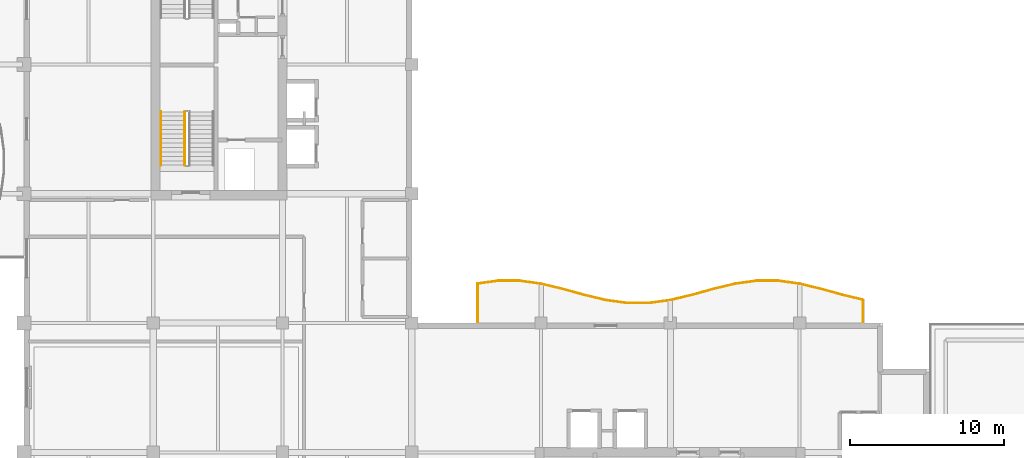
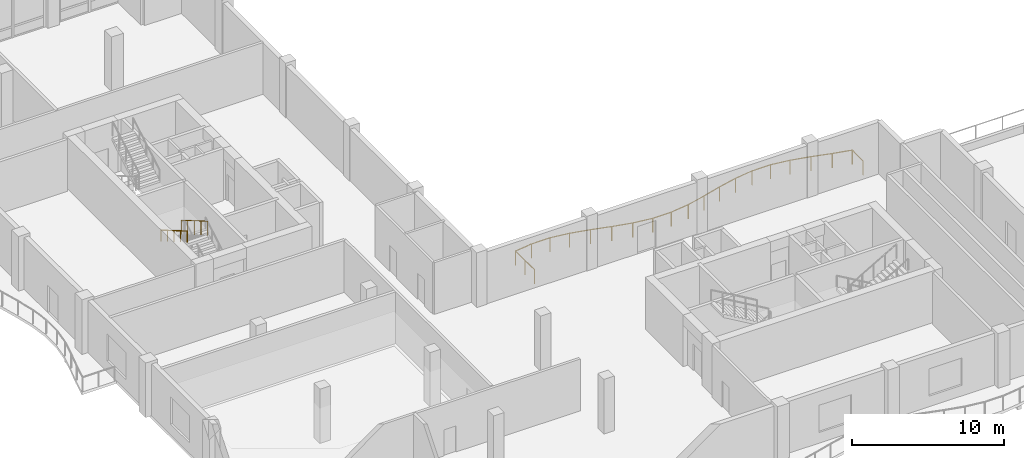
# One storey, part 14 of 16: 3 railings.
"""IFC4 building model written with IfcOpenShell, lengths in metres."""

from ifc_helpers import new_model, si_unit, direction, frame, origin, origin_2d, place, context, subcontext, project, spatial, circle, extrude, material, type_object, element, save


model = new_model("IFC4")

# Units and contexts
model_context = context("Model", 3, precision=1e-05, world=origin(), true_north=direction((0.0, 1.0)))
body_context = subcontext(model_context, "Body", "Model", "MODEL_VIEW")
ifc_project = project(units=[si_unit("LENGTHUNIT", "METRE"), si_unit("AREAUNIT", "SQUARE_METRE"), si_unit("VOLUMEUNIT", "CUBIC_METRE"), si_unit("PLANEANGLEUNIT", "RADIAN"), si_unit("MASSUNIT", "GRAM", prefix="KILO")], contexts=[model_context])

# Site, building, storey
site_placement = place(None, origin())
site = spatial("IfcSite", under=ifc_project, at=site_placement, CompositionType="ELEMENT")
building_placement = place(site_placement, origin())
building = spatial("IfcBuilding", under=site, at=building_placement, Name="Koriwani Terraces Tower", CompositionType="ELEMENT")
storey_placement = place(building_placement, frame((0.0, 0.0, 286.0)))
storey = spatial("IfcBuildingStorey", under=building, at=storey_placement, Name="L71", CompositionType="ELEMENT", Elevation=286.0)

# Railings
ifc_material = material(Name="Steel ASTM A572 Grade 50", Category="steel")
railing_type_1 = type_object("IfcRailingType", Name="GUARD_BALUSTRADE_1150", PredefinedType="BALUSTRADE", material=ifc_material)
railing_1_placement = place(storey_placement, frame((62.919921875, 33.679931640625, 0.0)))
element("IfcRailing", 1, at=railing_1_placement, inside=storey, type_object=railing_type_1, Name="L71 Balcony Perimeter Safety Balustrade (NE)", PredefinedType="BALUSTRADE", context=body_context, shape_type="SweptSolid", body=[
    extrude(circle(Radius=0.02392578125, at=origin_2d()), frame((0.0, 0.0, 1.1259765625), z_axis=(0.0, 1.0, 0.0), x_axis=(-1.0, 0.0, 0.0)), (0.0, 0.0, 1.0), 1.4267578125),
    extrude(circle(Radius=0.02392578125, at=origin_2d()), frame((0.0, 1.4267578125, 1.1259765625), z_axis=(-0.972351908849, 0.233520374611, 0.0), x_axis=(-0.233520374611, -0.972351908849, 0.0)), (0.0, 0.0, 1.0), 1.3779296875),
    extrude(circle(Radius=0.02392578125, at=origin_2d()), frame((-1.33984375, 1.74853515625, 1.1259765625), z_axis=(-0.963650193341, 0.26716718525, 0.0), x_axis=(-0.26716718525, -0.963650193341, 0.0)), (0.0, 0.0, 1.0), 1.452880859375),
    extrude(circle(Radius=0.02392578125, at=origin_2d()), frame((-2.739990234375, 2.13671875, 1.1259765625), z_axis=(-0.972353303141, 0.233514568862, 0.0), x_axis=(-0.233514568862, -0.972353303141, 0.0)), (0.0, 0.0, 1.0), 1.434326171875),
    extrude(circle(Radius=0.02392578125, at=origin_2d()), frame((-4.134765625, 2.4716796875, 1.1259765625), z_axis=(-0.990518583157, 0.137378806302, 0.0), x_axis=(-0.137378806302, -0.990518583157, 0.0)), (0.0, 0.0, 1.0), 1.404052734375),
    extrude(circle(Radius=0.02392578125, at=origin_2d()), frame((-5.525390625, 2.66455078125, 1.1259765625), z_axis=(-1.0, 0.0, 0.0), x_axis=(0.0, -1.0, 0.0)), (0.0, 0.0, 1.0), 1.388916015625),
    extrude(circle(Radius=0.02392578125, at=origin_2d()), frame((-6.914306640625, 2.66455078125, 1.1259765625), z_axis=(-0.990518583157, -0.137378806302, 0.0), x_axis=(0.137378806302, -0.990518583157, 0.0)), (0.0, 0.0, 1.0), 1.404052734375),
    extrude(circle(Radius=0.02392578125, at=origin_2d()), frame((-8.304931640625, 2.4716796875, 1.1259765625), z_axis=(-0.972362581689, -0.23347592966, 0.0), x_axis=(0.23347592966, -0.972362581689, 0.0)), (0.0, 0.0, 1.0), 1.4345703125),
    extrude(circle(Radius=0.02392578125, at=origin_2d()), frame((-9.699951171875, 2.13671875, 1.1259765625), z_axis=(-0.963638196753, -0.267210452187, 0.0), x_axis=(0.267210452187, -0.963638196753, 0.0)), (0.0, 0.0, 1.0), 1.45263671875),
    extrude(circle(Radius=0.02392578125, at=origin_2d()), frame((-11.099853515625, 1.74853515625, 1.1259765625), z_axis=(-0.972404167631, -0.233302667738, 0.0), x_axis=(0.233302667738, -0.972404167631, 0.0)), (0.0, 0.0, 1.0), 1.445068359375),
    extrude(circle(Radius=0.02392578125, at=origin_2d()), frame((-12.505126953125, 1.411376953125, 1.1259765625), z_axis=(-0.990531206111, -0.137287762455, 0.0), x_axis=(0.137287762455, -0.990531206111, 0.0)), (0.0, 0.0, 1.0), 1.422607421875),
    extrude(circle(Radius=0.02392578125, at=origin_2d()), frame((-13.914306640625, 1.216064453125, 1.1259765625), z_axis=(-1.0, 0.0, 0.0), x_axis=(0.0, -1.0, 0.0)), (0.0, 0.0, 1.0), 1.4111328125),
    extrude(circle(Radius=0.02392578125, at=origin_2d()), frame((-15.325439453125, 1.216064453125, 1.1259765625), z_axis=(-0.990531206111, 0.137287762455, 0.0), x_axis=(-0.137287762455, -0.990531206111, 0.0)), (0.0, 0.0, 1.0), 1.422607421875),
    extrude(circle(Radius=0.02392578125, at=origin_2d()), frame((-16.734619140625, 1.411376953125, 1.1259765625), z_axis=(-0.972404167631, 0.233302667738, 0.0), x_axis=(-0.233302667738, -0.972404167631, 0.0)), (0.0, 0.0, 1.0), 1.445068359375),
    extrude(circle(Radius=0.02392578125, at=origin_2d()), frame((-18.139892578125, 1.74853515625, 1.1259765625), z_axis=(-0.963650193341, 0.26716718525, 0.0), x_axis=(-0.26716718525, -0.963650193341, 0.0)), (0.0, 0.0, 1.0), 1.452880859375),
    extrude(circle(Radius=0.02392578125, at=origin_2d()), frame((-19.5400390625, 2.13671875, 1.1259765625), z_axis=(-0.972353303141, 0.233514568862, 0.0), x_axis=(-0.233514568862, -0.972353303141, 0.0)), (0.0, 0.0, 1.0), 1.434326171875),
    extrude(circle(Radius=0.02392578125, at=origin_2d()), frame((-20.934814453125, 2.4716796875, 1.1259765625), z_axis=(-0.990518583157, 0.137378806302, 0.0), x_axis=(-0.137378806302, -0.990518583157, 0.0)), (0.0, 0.0, 1.0), 1.404052734375),
    extrude(circle(Radius=0.02392578125, at=origin_2d()), frame((-22.325439453125, 2.66455078125, 1.1259765625), z_axis=(-1.0, 0.0, 0.0), x_axis=(0.0, -1.0, 0.0)), (0.0, 0.0, 1.0), 1.388916015625),
    extrude(circle(Radius=0.02392578125, at=origin_2d()), frame((-23.71435546875, 2.66455078125, 1.1259765625), z_axis=(-0.990521249999, -0.137359576657, 0.0), x_axis=(0.137359576657, -0.990521249999, 0.0)), (0.0, 0.0, 1.0), 1.33837890625),
    extrude(circle(Radius=0.02392578125, at=origin_2d()), frame((-25.0400390625, 2.480712890625, 1.1259765625), z_axis=(0.0, -1.0, 0.0), x_axis=(1.0, 0.0, 0.0)), (0.0, 0.0, 1.0), 2.480712890625),
    extrude(circle(Radius=0.02099609375, at=origin_2d()), origin(), (0.0, 0.0, 1.0), 1.101806640625),
    extrude(circle(Radius=0.02099609375, at=origin_2d()), frame((0.0, 1.4267578125, 0.0)), (0.0, 0.0, 1.0), 1.101806640625),
    extrude(circle(Radius=0.02099609375, at=origin_2d()), frame((-1.33984375, 1.74853515625, 0.0)), (0.0, 0.0, 1.0), 1.101806640625),
    extrude(circle(Radius=0.02099609375, at=origin_2d()), frame((-2.739990234375, 2.13671875, 0.0)), (0.0, 0.0, 1.0), 1.101806640625),
    extrude(circle(Radius=0.02099609375, at=origin_2d()), frame((-4.134765625, 2.4716796875, 0.0)), (0.0, 0.0, 1.0), 1.101806640625),
    extrude(circle(Radius=0.02099609375, at=origin_2d()), frame((-5.525390625, 2.66455078125, 0.0)), (0.0, 0.0, 1.0), 1.101806640625),
    extrude(circle(Radius=0.02099609375, at=origin_2d()), frame((-6.914306640625, 2.66455078125, 0.0)), (0.0, 0.0, 1.0), 1.101806640625),
    extrude(circle(Radius=0.02099609375, at=origin_2d()), frame((-8.304931640625, 2.4716796875, 0.0)), (0.0, 0.0, 1.0), 1.101806640625),
    extrude(circle(Radius=0.02099609375, at=origin_2d()), frame((-9.699951171875, 2.13671875, 0.0)), (0.0, 0.0, 1.0), 1.101806640625),
    extrude(circle(Radius=0.02099609375, at=origin_2d()), frame((-11.099853515625, 1.74853515625, 0.0)), (0.0, 0.0, 1.0), 1.101806640625),
    extrude(circle(Radius=0.02099609375, at=origin_2d()), frame((-12.505126953125, 1.411376953125, 0.0)), (0.0, 0.0, 1.0), 1.101806640625),
    extrude(circle(Radius=0.02099609375, at=origin_2d()), frame((-13.914306640625, 1.216064453125, 0.0)), (0.0, 0.0, 1.0), 1.101806640625),
    extrude(circle(Radius=0.02099609375, at=origin_2d()), frame((-15.325439453125, 1.216064453125, 0.0)), (0.0, 0.0, 1.0), 1.101806640625),
    extrude(circle(Radius=0.02099609375, at=origin_2d()), frame((-16.734619140625, 1.411376953125, 0.0)), (0.0, 0.0, 1.0), 1.101806640625),
    extrude(circle(Radius=0.02099609375, at=origin_2d()), frame((-18.139892578125, 1.74853515625, 0.0)), (0.0, 0.0, 1.0), 1.101806640625),
    extrude(circle(Radius=0.02099609375, at=origin_2d()), frame((-19.5400390625, 2.13671875, 0.0)), (0.0, 0.0, 1.0), 1.101806640625),
    extrude(circle(Radius=0.02099609375, at=origin_2d()), frame((-20.934814453125, 2.4716796875, 0.0)), (0.0, 0.0, 1.0), 1.101806640625),
    extrude(circle(Radius=0.02099609375, at=origin_2d()), frame((-22.325439453125, 2.66455078125, 0.0)), (0.0, 0.0, 1.0), 1.101806640625),
    extrude(circle(Radius=0.02099609375, at=origin_2d()), frame((-23.71435546875, 2.66455078125, 0.0)), (0.0, 0.0, 1.0), 1.101806640625),
    extrude(circle(Radius=0.02099609375, at=origin_2d()), frame((-25.0400390625, 2.480712890625, 0.0)), (0.0, 0.0, 1.0), 1.101806640625),
    extrude(circle(Radius=0.02099609375, at=origin_2d()), frame((-25.0400390625, 1.240234375, 0.0)), (0.0, 0.0, 1.0), 1.101806640625),
    extrude(circle(Radius=0.02099609375, at=origin_2d()), frame((-25.0400390625, 0.0, 0.0)), (0.0, 0.0, 1.0), 1.101806640625),
])
railing_type_2 = type_object("IfcRailingType", Name="GUARD_STAIR_WELL_1120", PredefinedType="GUARDRAIL", material=ifc_material)
railing_2_placement = place(storey_placement, frame((18.85009765625, 47.330078125, 2.369140625)))
element("IfcRailing", 2, at=railing_2_placement, inside=storey, type_object=railing_type_2, Name="L71 ST-W1 stair guard 3", PredefinedType="GUARDRAIL", context=body_context, shape_type="SweptSolid", body=[
    extrude(circle(Radius=0.02392578125, at=origin_2d()), frame((0.0, 0.0, 1.1259765625), z_axis=(0.0, -0.863695377172, 0.504014181796), x_axis=(1.0, 0.0, 0.0)), (0.0, 0.0, 1.0), 4.029296875),
    extrude(circle(Radius=0.02099609375, at=origin_2d()), origin(), (0.0, 0.0, 1.0), 1.101806640625),
    extrude(circle(Radius=0.02099609375, at=origin_2d()), frame((0.0, -0.8701171875, 0.5078125)), (0.0, 0.0, 1.0), 1.101806640625),
    extrude(circle(Radius=0.02099609375, at=origin_2d()), frame((0.0, -1.739990234375, 1.015380859375)), (0.0, 0.0, 1.0), 1.101806640625),
    extrude(circle(Radius=0.02099609375, at=origin_2d()), frame((0.0, -2.60986328125, 1.52294921875)), (0.0, 0.0, 1.0), 1.101806640625),
    extrude(circle(Radius=0.02099609375, at=origin_2d()), frame((0.0, -3.47998046875, 2.03076171875)), (0.0, 0.0, 1.0), 1.101806640625),
])
railing_type_3 = type_object("IfcRailingType", Name="HANDRAIL_STAIR_920", PredefinedType="HANDRAIL", material=ifc_material)
railing_3_placement = place(storey_placement, frame((17.300048828125, 47.330078125, 2.369140625)))
element("IfcRailing", 3, at=railing_3_placement, inside=storey, type_object=railing_type_3, Name="L71 ST-W1 stair handrail 2", PredefinedType="HANDRAIL", context=body_context, shape_type="SweptSolid", body=[
    extrude(circle(Radius=0.02392578125, at=origin_2d()), frame((0.0, 0.0, 0.8759765625), z_axis=(0.0, -0.863695377172, 0.504014181796), x_axis=(1.0, 0.0, 0.0)), (0.0, 0.0, 1.0), 4.029296875),
    extrude(circle(Radius=0.02099609375, at=origin_2d()), origin(), (0.0, 0.0, 1.0), 0.851806640625),
    extrude(circle(Radius=0.02099609375, at=origin_2d()), frame((0.0, -0.8701171875, 0.5078125)), (0.0, 0.0, 1.0), 0.851806640625),
    extrude(circle(Radius=0.02099609375, at=origin_2d()), frame((0.0, -1.739990234375, 1.015380859375)), (0.0, 0.0, 1.0), 0.851806640625),
    extrude(circle(Radius=0.02099609375, at=origin_2d()), frame((0.0, -2.60986328125, 1.52294921875)), (0.0, 0.0, 1.0), 0.851806640625),
    extrude(circle(Radius=0.02099609375, at=origin_2d()), frame((0.0, -3.47998046875, 2.03076171875)), (0.0, 0.0, 1.0), 0.851806640625),
])

save(model, "model.ifc")
